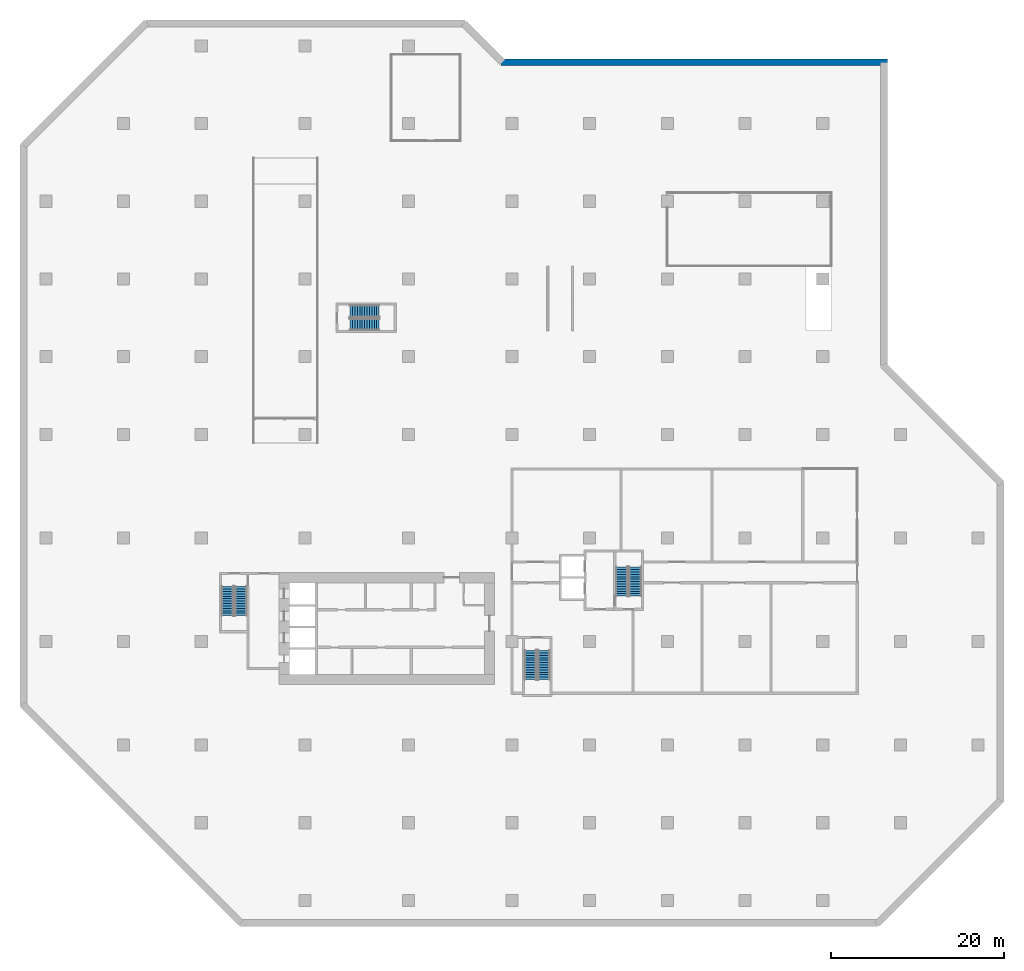
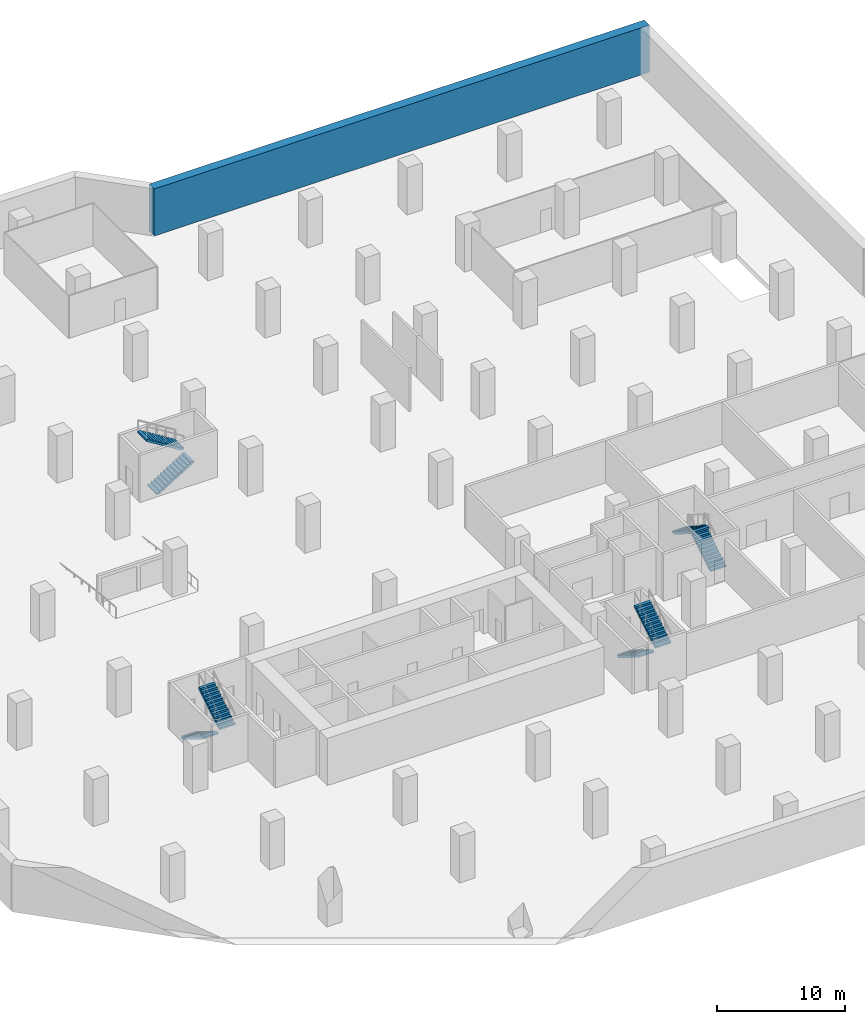
# One storey, part 8 of 10: 8 stair flights, 1 wall, 4 elements without a shape of their own.
"""IFC4 building model written with IfcOpenShell, lengths in metres."""

from ifc_helpers import new_model, si_unit, direction, frame, frame_2d, origin, place, context, subcontext, project, spatial, polyline, rectangle, outline, extrude, material, layer, layer_set, type_object, element, aggregate, save


model = new_model("IFC4")

# Units and contexts
model_context = context("Model", 3, precision=1e-05, world=origin(), true_north=direction((0.0, 1.0)))
body_context = subcontext(model_context, "Body", "Model", "MODEL_VIEW")
ifc_project = project(units=[si_unit("LENGTHUNIT", "METRE"), si_unit("AREAUNIT", "SQUARE_METRE"), si_unit("VOLUMEUNIT", "CUBIC_METRE"), si_unit("PLANEANGLEUNIT", "RADIAN"), si_unit("MASSUNIT", "GRAM", prefix="KILO")], contexts=[model_context])

# Site, building, storey
site_placement = place(None, origin())
site = spatial("IfcSite", under=ifc_project, at=site_placement, CompositionType="ELEMENT")
building_placement = place(site_placement, origin())
building = spatial("IfcBuilding", under=site, at=building_placement, Name="Chenar Terraces", CompositionType="ELEMENT")
storey_placement = place(building_placement, frame((0.0, 0.0, -9.0)))
storey = spatial("IfcBuildingStorey", under=building, at=storey_placement, Name="B2", CompositionType="ELEMENT", Elevation=-9.0)

# Wall
ifc_material_1 = material(Name="Concrete C40/50", Category="concrete")
ifc_layer = layer(ifc_material_1, 0.800048828125)
ifc_layer_set = layer_set([ifc_layer], Name="Concrete C40/50")
wall_type = type_object("IfcWallType", Name="Diaphragm wall 800 Concrete C40/50", PredefinedType="SOLIDWALL", material=ifc_layer_set)
wall_placement = place(storey_placement, frame((79.5, 79.10009765625, 0.0), z_axis=(0.0, 0.0, 1.0), x_axis=(-1.0, 0.0, 0.0)))
element("IfcWall", 1, at=wall_placement, inside=storey, type_object=wall_type, Name="Diaphragm wall B2 11", PredefinedType="SOLIDWALL", context=body_context, shape_type="SweptSolid", body=[
    extrude(rectangle(XDim=44.754150390625, YDim=0.800048828125, at=frame_2d((22.376953125, 0.0))), origin(), (0.0, 0.0, 1.0), 4.5),
])

# Stair, stair flights
ifc_material_2 = material(Name="Reinforced concrete C40/50", Category="concrete")
stair_type = type_object("IfcStairType", Name="Core stair 1400 half-turn", PredefinedType="HALF_TURN_STAIR", material=ifc_material_2)
placement = place(storey_placement, origin())
stair_1 = element("IfcStair", 2, at=placement, inside=storey, type_object=stair_type, Name="B2 Stair 1", PredefinedType="HALF_TURN_STAIR")
ifc_material_3 = material(Name="Reinforced concrete C40/50", Category="concrete")
stair_flight_type = type_object("IfcStairFlightType", Name="Core stair flight 1400", PredefinedType="STRAIGHT", material=ifc_material_3)
stair_flight_1_placement = place(storey_placement, frame((3.050048828125, 18.35009765625, 0.0), z_axis=(0.0, 0.0, 1.0), x_axis=(0.0, -1.0, 0.0)))
stair_flight_1 = element("IfcStairFlight", 3, at=stair_flight_1_placement, type_object=stair_flight_type, Name="ST1 flight 1", NumberOfRisers=13, NumberOfTreads=12, PredefinedType="STRAIGHT", RiserHeight=0.173076923, TreadLength=0.28, context=body_context, shape_type="SweptSolid", body=[
    extrude(outline(polyline([(-0.0029296875, 0.0), (-0.0029296875, 0.173095703125), (0.0, 0.173095703125), (0.280029296875, 0.173095703125), (0.280029296875, 0.34619140625), (0.56005859375, 0.34619140625), (0.56005859375, 0.519287109375), (0.840087890625, 0.519287109375), (0.840087890625, 0.6923828125), (1.1201171875, 0.6923828125), (1.1201171875, 0.865478515625), (1.39990234375, 0.865478515625), (1.39990234375, 1.03857421875), (1.679931640625, 1.03857421875), (1.679931640625, 1.21142578125), (1.9599609375, 1.21142578125), (1.9599609375, 1.384521484375), (2.239990234375, 1.384521484375), (2.239990234375, 1.5576171875), (2.52001953125, 1.5576171875), (2.52001953125, 1.730712890625), (2.800048828125, 1.730712890625), (2.800048828125, 1.90380859375), (3.080078125, 1.90380859375), (3.080078125, 2.076904296875), (3.360107421875, 2.076904296875), (3.363037109375, 2.076904296875), (3.363037109375, 1.900634765625), (3.360107421875, 1.900634765625), (0.28515625, 0.0), (-0.0029296875, 0.0)])), frame((0.0, 0.699951171875, 0.0), z_axis=(0.0, -1.0, 0.0), x_axis=(1.0, 0.0, 0.0)), (0.0, 0.0, 1.0), 1.39990234375),
])
stair_flight_2_placement = place(storey_placement, frame((4.60009765625, 14.989990234375, 2.25), z_axis=(0.0, 0.0, 1.0), x_axis=(0.0, 1.0, 0.0)))
stair_flight_2 = element("IfcStairFlight", 4, at=stair_flight_2_placement, type_object=stair_flight_type, Name="ST1 flight 2", NumberOfRisers=13, NumberOfTreads=12, PredefinedType="STRAIGHT", RiserHeight=0.173076923, TreadLength=0.28, context=body_context, shape_type="SweptSolid", body=[
    extrude(outline(polyline([(-0.0029296875, 0.0), (-0.0029296875, 0.173095703125), (0.0, 0.173095703125), (0.280029296875, 0.173095703125), (0.280029296875, 0.34619140625), (0.56005859375, 0.34619140625), (0.56005859375, 0.519287109375), (0.840087890625, 0.519287109375), (0.840087890625, 0.6923828125), (1.1201171875, 0.6923828125), (1.1201171875, 0.865478515625), (1.39990234375, 0.865478515625), (1.39990234375, 1.03857421875), (1.679931640625, 1.03857421875), (1.679931640625, 1.21142578125), (1.9599609375, 1.21142578125), (1.9599609375, 1.384521484375), (2.239990234375, 1.384521484375), (2.239990234375, 1.5576171875), (2.52001953125, 1.5576171875), (2.52001953125, 1.730712890625), (2.800048828125, 1.730712890625), (2.800048828125, 1.90380859375), (3.080078125, 1.90380859375), (3.080078125, 2.076904296875), (3.360107421875, 2.076904296875), (3.363037109375, 2.076904296875), (3.363037109375, 1.900634765625), (3.360107421875, 1.900634765625), (0.28515625, 0.0), (-0.0029296875, 0.0)])), frame((0.0, 0.699951171875, 0.0), z_axis=(0.0, -1.0, 0.0), x_axis=(1.0, 0.0, 0.0)), (0.0, 0.0, 1.0), 1.39990234375),
])
aggregate(stair_1, [stair_flight_1, stair_flight_2])

stair_2 = element("IfcStair", 5, at=placement, inside=storey, type_object=stair_type, Name="B2 Stair 2", PredefinedType="HALF_TURN_STAIR")
stair_flight_3_placement = place(storey_placement, frame((38.14990234375, 10.949951171875, 0.0), z_axis=(0.0, 0.0, 1.0), x_axis=(0.0, -1.0, 0.0)))
stair_flight_3 = element("IfcStairFlight", 6, at=stair_flight_3_placement, type_object=stair_flight_type, Name="ST2 flight 1", NumberOfRisers=13, NumberOfTreads=12, PredefinedType="STRAIGHT", RiserHeight=0.173076923, TreadLength=0.28, context=body_context, shape_type="SweptSolid", body=[
    extrude(outline(polyline([(-0.0029296875, 0.0), (-0.0029296875, 0.173095703125), (0.0, 0.173095703125), (0.280029296875, 0.173095703125), (0.280029296875, 0.34619140625), (0.56005859375, 0.34619140625), (0.56005859375, 0.519287109375), (0.840087890625, 0.519287109375), (0.840087890625, 0.6923828125), (1.1201171875, 0.6923828125), (1.1201171875, 0.865478515625), (1.39990234375, 0.865478515625), (1.39990234375, 1.03857421875), (1.679931640625, 1.03857421875), (1.679931640625, 1.21142578125), (1.9599609375, 1.21142578125), (1.9599609375, 1.384521484375), (2.239990234375, 1.384521484375), (2.239990234375, 1.5576171875), (2.52001953125, 1.5576171875), (2.52001953125, 1.730712890625), (2.800048828125, 1.730712890625), (2.800048828125, 1.90380859375), (3.080078125, 1.90380859375), (3.080078125, 2.076904296875), (3.360107421875, 2.076904296875), (3.363037109375, 2.076904296875), (3.363037109375, 1.900634765625), (3.360107421875, 1.900634765625), (0.28515625, 0.0), (-0.0029296875, 0.0)])), frame((0.0, 0.699951171875, 0.0), z_axis=(0.0, -1.0, 0.0), x_axis=(1.0, 0.0, 0.0)), (0.0, 0.0, 1.0), 1.39990234375),
])
stair_flight_4_placement = place(storey_placement, frame((39.699951171875, 7.590087890625, 2.25), z_axis=(0.0, 0.0, 1.0), x_axis=(0.0, 1.0, 0.0)))
stair_flight_4 = element("IfcStairFlight", 7, at=stair_flight_4_placement, type_object=stair_flight_type, Name="ST2 flight 2", NumberOfRisers=13, NumberOfTreads=12, PredefinedType="STRAIGHT", RiserHeight=0.173076923, TreadLength=0.28, context=body_context, shape_type="SweptSolid", body=[
    extrude(outline(polyline([(-0.0029296875, 0.0), (-0.0029296875, 0.173095703125), (0.0, 0.173095703125), (0.280029296875, 0.173095703125), (0.280029296875, 0.34619140625), (0.56005859375, 0.34619140625), (0.56005859375, 0.519287109375), (0.840087890625, 0.519287109375), (0.840087890625, 0.6923828125), (1.1201171875, 0.6923828125), (1.1201171875, 0.865478515625), (1.39990234375, 0.865478515625), (1.39990234375, 1.03857421875), (1.679931640625, 1.03857421875), (1.679931640625, 1.21142578125), (1.9599609375, 1.21142578125), (1.9599609375, 1.384521484375), (2.239990234375, 1.384521484375), (2.239990234375, 1.5576171875), (2.52001953125, 1.5576171875), (2.52001953125, 1.730712890625), (2.800048828125, 1.730712890625), (2.800048828125, 1.90380859375), (3.080078125, 1.90380859375), (3.080078125, 2.076904296875), (3.360107421875, 2.076904296875), (3.363037109375, 2.076904296875), (3.363037109375, 1.900634765625), (3.360107421875, 1.900634765625), (0.28515625, 0.0), (-0.0029296875, 0.0)])), frame((0.0, 0.699951171875, 0.0), z_axis=(0.0, -1.0, 0.0), x_axis=(1.0, 0.0, 0.0)), (0.0, 0.0, 1.0), 1.39990234375),
])
aggregate(stair_2, [stair_flight_3, stair_flight_4])

stair_3 = element("IfcStair", 8, at=placement, inside=storey, type_object=stair_type, Name="B2 Stair 3", PredefinedType="HALF_TURN_STAIR")
stair_flight_5_placement = place(storey_placement, frame((50.27490234375, 17.25, 0.0), z_axis=(0.0, 0.0, 1.0), x_axis=(0.0, 1.0, 0.0)))
stair_flight_5 = element("IfcStairFlight", 9, at=stair_flight_5_placement, type_object=stair_flight_type, Name="ST3 flight 1", NumberOfRisers=13, NumberOfTreads=12, PredefinedType="STRAIGHT", RiserHeight=0.173076923, TreadLength=0.28, context=body_context, shape_type="SweptSolid", body=[
    extrude(outline(polyline([(-0.0029296875, 0.0), (-0.0029296875, 0.173095703125), (0.0, 0.173095703125), (0.280029296875, 0.173095703125), (0.280029296875, 0.34619140625), (0.56005859375, 0.34619140625), (0.56005859375, 0.519287109375), (0.840087890625, 0.519287109375), (0.840087890625, 0.6923828125), (1.1201171875, 0.6923828125), (1.1201171875, 0.865478515625), (1.39990234375, 0.865478515625), (1.39990234375, 1.03857421875), (1.679931640625, 1.03857421875), (1.679931640625, 1.21142578125), (1.9599609375, 1.21142578125), (1.9599609375, 1.384521484375), (2.239990234375, 1.384521484375), (2.239990234375, 1.5576171875), (2.52001953125, 1.5576171875), (2.52001953125, 1.730712890625), (2.800048828125, 1.730712890625), (2.800048828125, 1.90380859375), (3.080078125, 1.90380859375), (3.080078125, 2.076904296875), (3.360107421875, 2.076904296875), (3.363037109375, 2.076904296875), (3.363037109375, 1.900634765625), (3.360107421875, 1.900634765625), (0.28515625, 0.0), (-0.0029296875, 0.0)])), frame((0.0, 0.699951171875, 0.0), z_axis=(0.0, -1.0, 0.0), x_axis=(1.0, 0.0, 0.0)), (0.0, 0.0, 1.0), 1.39990234375),
])
stair_flight_6_placement = place(storey_placement, frame((48.72509765625, 20.610107421875, 2.25), z_axis=(0.0, 0.0, 1.0), x_axis=(0.0, -1.0, 0.0)))
stair_flight_6 = element("IfcStairFlight", 10, at=stair_flight_6_placement, type_object=stair_flight_type, Name="ST3 flight 2", NumberOfRisers=13, NumberOfTreads=12, PredefinedType="STRAIGHT", RiserHeight=0.173076923, TreadLength=0.28, context=body_context, shape_type="SweptSolid", body=[
    extrude(outline(polyline([(-0.0029296875, 0.0), (-0.0029296875, 0.173095703125), (0.0, 0.173095703125), (0.280029296875, 0.173095703125), (0.280029296875, 0.34619140625), (0.56005859375, 0.34619140625), (0.56005859375, 0.519287109375), (0.840087890625, 0.519287109375), (0.840087890625, 0.6923828125), (1.1201171875, 0.6923828125), (1.1201171875, 0.865478515625), (1.39990234375, 0.865478515625), (1.39990234375, 1.03857421875), (1.679931640625, 1.03857421875), (1.679931640625, 1.21142578125), (1.9599609375, 1.21142578125), (1.9599609375, 1.384521484375), (2.239990234375, 1.384521484375), (2.239990234375, 1.5576171875), (2.52001953125, 1.5576171875), (2.52001953125, 1.730712890625), (2.800048828125, 1.730712890625), (2.800048828125, 1.90380859375), (3.080078125, 1.90380859375), (3.080078125, 2.076904296875), (3.360107421875, 2.076904296875), (3.363037109375, 2.076904296875), (3.363037109375, 1.900634765625), (3.360107421875, 1.900634765625), (0.28515625, 0.0), (-0.0029296875, 0.0)])), frame((0.0, 0.699951171875, 0.0), z_axis=(0.0, -1.0, 0.0), x_axis=(1.0, 0.0, 0.0)), (0.0, 0.0, 1.0), 1.39990234375),
])
aggregate(stair_3, [stair_flight_5, stair_flight_6])

stair_4 = element("IfcStair", 11, at=placement, inside=storey, type_object=stair_type, Name="B2 Stair 4", PredefinedType="HALF_TURN_STAIR")
stair_flight_7_placement = place(storey_placement, frame((17.25, 48.72509765625, 0.0), z_axis=(0.0, 0.0, 1.0), x_axis=(1.0, 0.0, 0.0)))
stair_flight_7 = element("IfcStairFlight", 12, at=stair_flight_7_placement, type_object=stair_flight_type, Name="ST4 flight 1", NumberOfRisers=13, NumberOfTreads=12, PredefinedType="STRAIGHT", RiserHeight=0.173076923, TreadLength=0.28, context=body_context, shape_type="SweptSolid", body=[
    extrude(outline(polyline([(-0.0029296875, 0.0), (-0.0029296875, 0.173095703125), (0.0, 0.173095703125), (0.280029296875, 0.173095703125), (0.280029296875, 0.34619140625), (0.56005859375, 0.34619140625), (0.56005859375, 0.519287109375), (0.840087890625, 0.519287109375), (0.840087890625, 0.6923828125), (1.1201171875, 0.6923828125), (1.1201171875, 0.865478515625), (1.39990234375, 0.865478515625), (1.39990234375, 1.03857421875), (1.679931640625, 1.03857421875), (1.679931640625, 1.21142578125), (1.9599609375, 1.21142578125), (1.9599609375, 1.384521484375), (2.239990234375, 1.384521484375), (2.239990234375, 1.5576171875), (2.52001953125, 1.5576171875), (2.52001953125, 1.730712890625), (2.800048828125, 1.730712890625), (2.800048828125, 1.90380859375), (3.080078125, 1.90380859375), (3.080078125, 2.076904296875), (3.360107421875, 2.076904296875), (3.363037109375, 2.076904296875), (3.363037109375, 1.900634765625), (3.360107421875, 1.900634765625), (0.28515625, 0.0), (-0.0029296875, 0.0)])), frame((0.0, 0.699951171875, 0.0), z_axis=(0.0, -1.0, 0.0), x_axis=(1.0, 0.0, 0.0)), (0.0, 0.0, 1.0), 1.39990234375),
])
stair_flight_8_placement = place(storey_placement, frame((20.610107421875, 50.27490234375, 2.25), z_axis=(0.0, 0.0, 1.0), x_axis=(-1.0, 0.0, 0.0)))
stair_flight_8 = element("IfcStairFlight", 13, at=stair_flight_8_placement, type_object=stair_flight_type, Name="ST4 flight 2", NumberOfRisers=13, NumberOfTreads=12, PredefinedType="STRAIGHT", RiserHeight=0.173076923, TreadLength=0.28, context=body_context, shape_type="SweptSolid", body=[
    extrude(outline(polyline([(-0.0029296875, 0.0), (-0.0029296875, 0.173095703125), (0.0, 0.173095703125), (0.280029296875, 0.173095703125), (0.280029296875, 0.34619140625), (0.56005859375, 0.34619140625), (0.56005859375, 0.519287109375), (0.840087890625, 0.519287109375), (0.840087890625, 0.6923828125), (1.1201171875, 0.6923828125), (1.1201171875, 0.865478515625), (1.39990234375, 0.865478515625), (1.39990234375, 1.03857421875), (1.679931640625, 1.03857421875), (1.679931640625, 1.21142578125), (1.9599609375, 1.21142578125), (1.9599609375, 1.384521484375), (2.239990234375, 1.384521484375), (2.239990234375, 1.5576171875), (2.52001953125, 1.5576171875), (2.52001953125, 1.730712890625), (2.800048828125, 1.730712890625), (2.800048828125, 1.90380859375), (3.080078125, 1.90380859375), (3.080078125, 2.076904296875), (3.360107421875, 2.076904296875), (3.363037109375, 2.076904296875), (3.363037109375, 1.900634765625), (3.360107421875, 1.900634765625), (0.28515625, 0.0), (-0.0029296875, 0.0)])), frame((0.0, 0.699951171875, 0.0), z_axis=(0.0, -1.0, 0.0), x_axis=(1.0, 0.0, 0.0)), (0.0, 0.0, 1.0), 1.39990234375),
])
aggregate(stair_4, [stair_flight_7, stair_flight_8])

save(model, "model.ifc")
